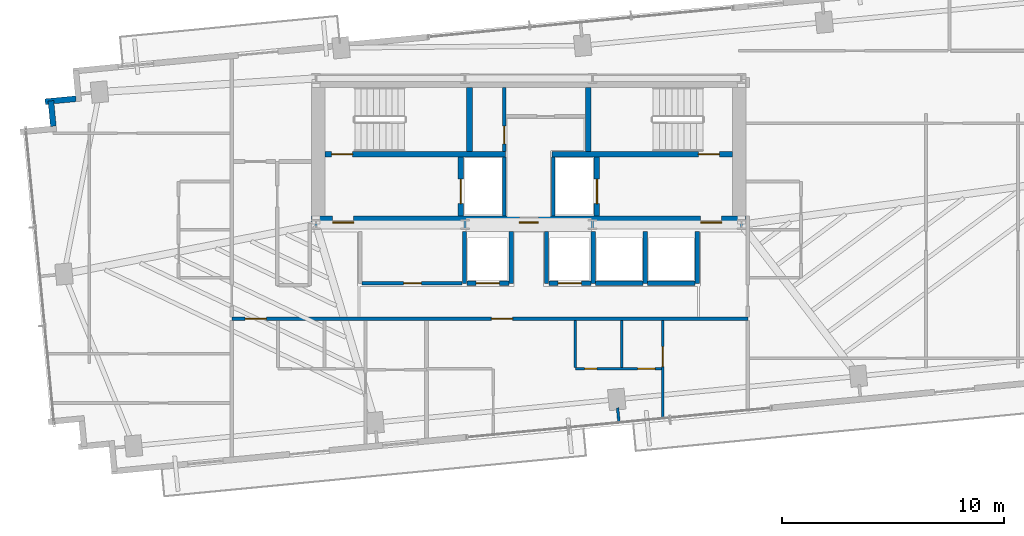
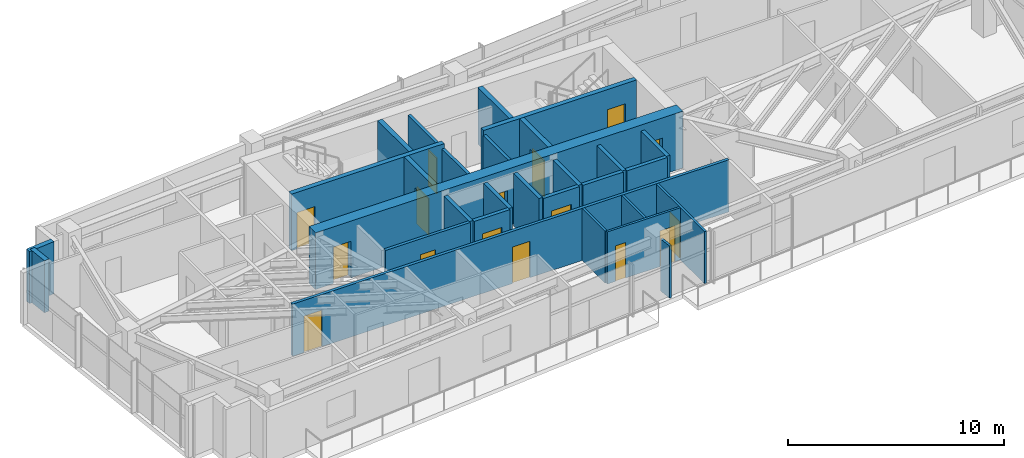
# One storey, part 14 of 18: 29 walls, 16 doors, 16 openings.
"""IFC4 building model written with IfcOpenShell, lengths in metres."""

from ifc_helpers import new_model, si_unit, direction, frame, frame_2d, origin, place, context, subcontext, project, spatial, rectangle, extrude, source, transform, mapped, material, layer, layer_set, type_object, type_shapes, element, fill, save


model = new_model("IFC4")

# Units and contexts
model_context = context("Model", 3, precision=1e-05, world=origin(), true_north=direction((0.0, 1.0)))
body_context = subcontext(model_context, "Body", "Model", "MODEL_VIEW")
ifc_project = project(units=[si_unit("LENGTHUNIT", "METRE"), si_unit("AREAUNIT", "SQUARE_METRE"), si_unit("VOLUMEUNIT", "CUBIC_METRE"), si_unit("PLANEANGLEUNIT", "RADIAN"), si_unit("MASSUNIT", "GRAM", prefix="KILO")], contexts=[model_context])

# Site, building, storey
site_placement = place(None, origin())
site = spatial("IfcSite", under=ifc_project, at=site_placement, CompositionType="ELEMENT")
building_placement = place(site_placement, origin())
building = spatial("IfcBuilding", under=site, at=building_placement, Name="Astriad Promenade Condominiums", CompositionType="ELEMENT")
storey_placement = place(building_placement, frame((0.0, 0.0, 173.0)))
storey = spatial("IfcBuildingStorey", under=building, at=storey_placement, Name="L49", CompositionType="ELEMENT", Elevation=173.0)

# Wall, openings, doors
ifc_material_1 = material(Name="Concrete C50/60", Category="concrete")
ifc_layer_1 = layer(ifc_material_1, 0.60009765625)
ifc_layer_set_1 = layer_set([ifc_layer_1], Name="Concrete C50/60")
wall_type_1 = type_object("IfcWallType", Name="CW-SHEAR-600", PredefinedType="SHEAR", material=ifc_layer_set_1)
wall_1_placement = place(storey_placement, frame((26.199951171875, 17.5, 0.0), z_axis=(0.0, 0.0, 1.0), x_axis=(1.0, 0.0, 0.0)))
wall_1 = element("IfcWall", 1, at=wall_1_placement, inside=storey, type_object=wall_type_1, Name="CW-CORE-S-L49", PredefinedType="SHEAR", context=body_context, shape_type="SweptSolid", body=[
    extrude(rectangle(XDim=19.60009765625, YDim=0.60009765625, at=frame_2d((9.800048828125, 0.0))), origin(), (0.0, 0.0, 1.0), 3.199951171875),
])
opening_1_placement = place(wall_1_placement, frame((0.949951171875, 0.0, 0.0)))
opening_1 = element("IfcOpeningElement", 2, at=opening_1_placement, cuts=wall_1, Name="Opening FD90-ST-095", PredefinedType="OPENING", context=body_context, shape_type="SweptSolid", body=[
    extrude(rectangle(XDim=0.949951171875, YDim=2.06005859375, at=frame_2d((0.47509765625, 1.030029296875))), frame((0.0, 0.31005859375, 0.0), z_axis=(0.0, -1.0, 0.0), x_axis=(1.0, 0.0, 0.0)), (0.0, 0.0, 1.0), 0.6201171875),
])
opening_2_placement = place(wall_1_placement, frame((9.3798828125, 0.0, 0.0)))
opening_2 = element("IfcOpeningElement", 3, at=opening_2_placement, cuts=wall_1, Name="Opening FD60-ULOW-085", PredefinedType="OPENING", context=body_context, shape_type="SweptSolid", body=[
    extrude(rectangle(XDim=0.85009765625, YDim=2.0, at=frame_2d((0.425048828125, 1.0))), frame((0.0, 0.31005859375, 0.0), z_axis=(0.0, -1.0, 0.0), x_axis=(1.0, 0.0, 0.0)), (0.0, 0.0, 1.0), 0.6201171875),
])
opening_3_placement = place(wall_1_placement, frame((17.550048828125, 0.0, 0.0)))
opening_3 = element("IfcOpeningElement", 4, at=opening_3_placement, cuts=wall_1, Name="Opening FD90-ST-095", PredefinedType="OPENING", context=body_context, shape_type="SweptSolid", body=[
    extrude(rectangle(XDim=0.949951171875, YDim=2.06005859375, at=frame_2d((0.47509765625, 1.030029296875))), frame((0.0, 0.31005859375, 0.0), z_axis=(0.0, -1.0, 0.0), x_axis=(1.0, 0.0, 0.0)), (0.0, 0.0, 1.0), 0.6201171875),
])
ifc_material_2 = material(Name="Fire-Rated Hollow Metal Stair Door")
door_type_1 = type_object("IfcDoorType", Name="FD90-ST-095", OperationType="NOTDEFINED", PredefinedType="DOOR", material=ifc_material_2)
shared_shape_1 = source(origin(), body_context, "Body", "SweptSolid", [
    extrude(rectangle(XDim=0.949951171875, YDim=2.06005859375, at=frame_2d((0.47509765625, 1.030029296875))), frame((0.0, 0.02490234375, 0.0), z_axis=(0.0, -1.0, 0.0), x_axis=(1.0, 0.0, 0.0)), (0.0, 0.0, 1.0), 0.050048828125),
])
type_shapes(door_type_1, [shared_shape_1])
door_1_placement = place(opening_1_placement, origin())
door_1 = element("IfcDoor", 5, at=door_1_placement, inside=storey, type_object=door_type_1, Name="D-FFW-L49", OperationType="SINGLE_SWING_LEFT", OverallHeight=2.06005859375, OverallWidth=0.949951171875, PredefinedType="DOOR", context=body_context, shape_type="MappedRepresentation", body=[
    mapped(shared_shape_1, transform((0.0, 0.0, 0.0), scale=1.0)),
])
fill(opening_1, door_1)
door_2_placement = place(opening_3_placement, origin())
door_2 = element("IfcDoor", 6, at=door_2_placement, inside=storey, type_object=door_type_1, Name="D-FFE-L49", OperationType="SINGLE_SWING_RIGHT", OverallHeight=2.06005859375, OverallWidth=0.949951171875, PredefinedType="DOOR", context=body_context, shape_type="MappedRepresentation", body=[
    mapped(shared_shape_1, transform((0.0, 0.0, 0.0), scale=1.0)),
])
fill(opening_3, door_2)
ifc_material_3 = material(Name="Solid-Core Low-Headroom Fire Door")
door_type_2 = type_object("IfcDoorType", Name="FD60-ULOW-085", OperationType="NOTDEFINED", PredefinedType="DOOR", material=ifc_material_3)
shared_shape_2 = source(origin(), body_context, "Body", "SweptSolid", [
    extrude(rectangle(XDim=0.85009765625, YDim=2.0, at=frame_2d((0.425048828125, 1.0))), frame((0.0, 0.02490234375, 0.0), z_axis=(0.0, -1.0, 0.0), x_axis=(1.0, 0.0, 0.0)), (0.0, 0.0, 1.0), 0.050048828125),
])
type_shapes(door_type_2, [shared_shape_2])
door_3_placement = place(opening_2_placement, origin())
door_3 = element("IfcDoor", 7, at=door_3_placement, inside=storey, type_object=door_type_2, Name="D-CSL-L49", OperationType="SINGLE_SWING_RIGHT", OverallHeight=2.0, OverallWidth=0.85009765625, PredefinedType="DOOR", context=body_context, shape_type="MappedRepresentation", body=[
    mapped(shared_shape_2, transform((0.0, 0.0, 0.0), scale=1.0)),
])
fill(opening_2, door_3)

# Wall, opening, door
ifc_layer_2 = layer(ifc_material_1, 0.25)
ifc_layer_set_2 = layer_set([ifc_layer_2], Name="Concrete C50/60")
wall_type_2 = type_object("IfcWallType", Name="WALL-CORE-INT-250", PredefinedType="SOLIDWALL", material=ifc_layer_set_2)
wall_2_placement = place(storey_placement, frame((26.802001953125, 20.574951171875, 0.0), z_axis=(0.0, 0.0, 1.0), x_axis=(1.0, 0.0, 0.0)))
wall_2 = element("IfcWall", 8, at=wall_2_placement, inside=storey, type_object=wall_type_2, Name="CW-INT-H1-L49", PredefinedType="SOLIDWALL", context=body_context, shape_type="SweptSolid", body=[
    extrude(rectangle(XDim=8.14794921875, YDim=0.25, at=frame_2d((4.073974609375, 0.0))), origin(), (0.0, 0.0, 1.0), 3.199951171875),
])
opening_4_placement = place(wall_2_placement, frame((0.298095703125, 0.0, 0.0)))
opening_4 = element("IfcOpeningElement", 9, at=opening_4_placement, cuts=wall_2, Name="Opening FD90-ST-095", PredefinedType="OPENING", context=body_context, shape_type="SweptSolid", body=[
    extrude(rectangle(XDim=0.949951171875, YDim=2.06005859375, at=frame_2d((0.47509765625, 1.030029296875))), frame((0.0, 0.135009765625, 0.0), z_axis=(0.0, -1.0, 0.0), x_axis=(1.0, 0.0, 0.0)), (0.0, 0.0, 1.0), 0.27001953125),
])
door_4_placement = place(opening_4_placement, origin())
door_4 = element("IfcDoor", 10, at=door_4_placement, inside=storey, type_object=door_type_1, Name="D-ST1-L49", OperationType="SINGLE_SWING_RIGHT", OverallHeight=2.06005859375, OverallWidth=0.949951171875, PredefinedType="DOOR", context=body_context, shape_type="MappedRepresentation", body=[
    mapped(shared_shape_1, transform((0.0, 0.0, 0.0), scale=1.0)),
])
fill(opening_4, door_4)

wall_3_placement = place(storey_placement, frame((37.050048828125, 20.574951171875, 0.0), z_axis=(0.0, 0.0, 1.0), x_axis=(1.0, 0.0, 0.0)))
wall_3 = element("IfcWall", 11, at=wall_3_placement, inside=storey, type_object=wall_type_2, Name="CW-INT-H2-L49", PredefinedType="SOLIDWALL", context=body_context, shape_type="SweptSolid", body=[
    extrude(rectangle(XDim=8.14794921875, YDim=0.25, at=frame_2d((4.073974609375, 0.0))), origin(), (0.0, 0.0, 1.0), 3.199951171875),
])
opening_5_placement = place(wall_3_placement, frame((6.60009765625, 0.0, 0.0)))
opening_5 = element("IfcOpeningElement", 12, at=opening_5_placement, cuts=wall_3, Name="Opening FD90-ST-095", PredefinedType="OPENING", context=body_context, shape_type="SweptSolid", body=[
    extrude(rectangle(XDim=0.949951171875, YDim=2.06005859375, at=frame_2d((0.47509765625, 1.030029296875))), frame((0.0, 0.135009765625, 0.0), z_axis=(0.0, -1.0, 0.0), x_axis=(1.0, 0.0, 0.0)), (0.0, 0.0, 1.0), 0.27001953125),
])
door_5_placement = place(opening_5_placement, origin())
door_5 = element("IfcDoor", 13, at=door_5_placement, inside=storey, type_object=door_type_1, Name="D-ST2-L49", OperationType="SINGLE_SWING_LEFT", OverallHeight=2.06005859375, OverallWidth=0.949951171875, PredefinedType="DOOR", context=body_context, shape_type="MappedRepresentation", body=[
    mapped(shared_shape_1, transform((0.0, 0.0, 0.0), scale=1.0)),
])
fill(opening_5, door_5)

# Walls
for number, where, z_axis, x_axis, name in (
    (14, (33.324951171875, 20.701904296875, 0.0), (0.0, 0.0, 1.0), (0.0, 1.0, 0.0), "CW-ST1-E-L49"),
    (15, (38.675048828125, 20.701904296875, 0.0), (0.0, 0.0, 1.0), (0.0, 1.0, 0.0), "CW-ST2-W-L49"),
):
    element("IfcWall", number, at=place(storey_placement, frame(where, z_axis=z_axis, x_axis=x_axis)), inside=storey, type_object=wall_type_2, Name=name, PredefinedType="SOLIDWALL", context=body_context, shape_type="SweptSolid", body=[
        extrude(rectangle(XDim=2.89599609375, YDim=0.25, at=frame_2d((1.447998046875, 0.0))), origin(), (0.0, 0.0, 1.0), 3.199951171875),
    ])

# Wall, opening, door
wall_4_placement = place(storey_placement, frame((32.925048828125, 17.802001953125, 0.0), z_axis=(0.0, 0.0, 1.0), x_axis=(0.0, 1.0, 0.0)))
wall_4 = element("IfcWall", 16, at=wall_4_placement, inside=storey, type_object=wall_type_2, Name="CW-FFL1-W-L49", PredefinedType="SOLIDWALL", context=body_context, shape_type="SweptSolid", body=[
    extrude(rectangle(XDim=2.64599609375, YDim=0.25, at=frame_2d((1.322998046875, 0.0))), origin(), (0.0, 0.0, 1.0), 3.199951171875),
])
opening_6_placement = place(wall_4_placement, frame((0.548095703125, 0.0, 0.0)))
opening_6 = element("IfcOpeningElement", 17, at=opening_6_placement, cuts=wall_4, Name="Opening LD-FFL-1122", PredefinedType="OPENING", context=body_context, shape_type="SweptSolid", body=[
    extrude(rectangle(XDim=1.10009765625, YDim=2.080078125, at=frame_2d((0.550048828125, 1.0400390625))), frame((0.0, 0.135009765625, 0.0), z_axis=(0.0, -1.0, 0.0), x_axis=(1.0, 0.0, 0.0)), (0.0, 0.0, 1.0), 0.27001953125),
])
ifc_material_4 = material(Name="Brushed Stainless Steel Fire Elevator Landing Door", Category="steel")
door_type_3 = type_object("IfcDoorType", Name="LD-FFL-1122", OperationType="NOTDEFINED", PredefinedType="DOOR", material=ifc_material_4)
shared_shape_3 = source(origin(), body_context, "Body", "SweptSolid", [
    extrude(rectangle(XDim=1.10009765625, YDim=2.080078125, at=frame_2d((0.550048828125, 1.0400390625))), frame((0.0, 0.02490234375, 0.0), z_axis=(0.0, -1.0, 0.0), x_axis=(1.0, 0.0, 0.0)), (0.0, 0.0, 1.0), 0.050048828125),
])
type_shapes(door_type_3, [shared_shape_3])
door_6_placement = place(opening_6_placement, origin())
door_6 = element("IfcDoor", 18, at=door_6_placement, inside=storey, type_object=door_type_3, Name="Elevator Landing Door FFL-1 (L49)", OperationType="SLIDING_TO_LEFT", OverallHeight=2.080078125, OverallWidth=1.10009765625, PredefinedType="DOOR", context=body_context, shape_type="MappedRepresentation", body=[
    mapped(shared_shape_3, transform((0.0, 0.0, 0.0), scale=1.0)),
])
fill(opening_6, door_6)

wall_5_placement = place(storey_placement, frame((39.074951171875, 17.802001953125, 0.0), z_axis=(0.0, 0.0, 1.0), x_axis=(0.0, 1.0, 0.0)))
wall_5 = element("IfcWall", 19, at=wall_5_placement, inside=storey, type_object=wall_type_2, Name="CW-FFL2-E-L49", PredefinedType="SOLIDWALL", context=body_context, shape_type="SweptSolid", body=[
    extrude(rectangle(XDim=2.64599609375, YDim=0.25, at=frame_2d((1.322998046875, 0.0))), origin(), (0.0, 0.0, 1.0), 3.199951171875),
])
opening_7_placement = place(wall_5_placement, frame((0.548095703125, 0.0, 0.0)))
opening_7 = element("IfcOpeningElement", 20, at=opening_7_placement, cuts=wall_5, Name="Opening LD-FFL-1122", PredefinedType="OPENING", context=body_context, shape_type="SweptSolid", body=[
    extrude(rectangle(XDim=1.10009765625, YDim=2.080078125, at=frame_2d((0.550048828125, 1.0400390625))), frame((0.0, 0.135009765625, 0.0), z_axis=(0.0, -1.0, 0.0), x_axis=(1.0, 0.0, 0.0)), (0.0, 0.0, 1.0), 0.27001953125),
])
door_7_placement = place(opening_7_placement, origin())
door_7 = element("IfcDoor", 21, at=door_7_placement, inside=storey, type_object=door_type_3, Name="Elevator Landing Door FFL-2 (L49)", OperationType="SLIDING_TO_RIGHT", OverallHeight=2.080078125, OverallWidth=1.10009765625, PredefinedType="DOOR", context=body_context, shape_type="MappedRepresentation", body=[
    mapped(shared_shape_3, transform((0.0, 0.0, 0.0), scale=1.0)),
])
fill(opening_7, door_7)

# Walls
ifc_material_5 = material(Name="Fire-Rated Gypsum Partition")
ifc_layer_3 = layer(ifc_material_5, 0.159912109375)
ifc_layer_set_3 = layer_set([ifc_layer_3], Name="Fire-Rated Gypsum Partition")
wall_type_3 = type_object("IfcWallType", Name="WALL-CORR-160", PredefinedType="PARTITIONING", material=ifc_layer_set_3)
for number, where, z_axis, x_axis, name in (
    (22, (34.89990234375, 17.802001953125, 0.0), (0.0, 0.0, 1.0), (0.0, 1.0, 0.0), "CW-FFL1-E-L49"),
    (23, (37.10009765625, 17.802001953125, 0.0), (0.0, 0.0, 1.0), (0.0, 1.0, 0.0), "CW-FFL2-W-L49"),
):
    element("IfcWall", number, at=place(storey_placement, frame(where, z_axis=z_axis, x_axis=x_axis)), inside=storey, type_object=wall_type_3, Name=name, PredefinedType="PARTITIONING", context=body_context, shape_type="SweptSolid", body=[
        extrude(rectangle(XDim=2.64599609375, YDim=0.159912109375, at=frame_2d((1.322998046875, 0.0))), origin(), (0.0, 0.0, 1.0), 2.93994140625),
    ])

# Wall, opening, door
wall_6_placement = place(storey_placement, frame((34.89990234375, 20.701904296875, 0.0), z_axis=(0.0, 0.0, 1.0), x_axis=(0.0, 1.0, 0.0)))
wall_6 = element("IfcWall", 24, at=wall_6_placement, inside=storey, type_object=wall_type_3, Name="CW-AUX-W-L49", PredefinedType="PARTITIONING", context=body_context, shape_type="SweptSolid", body=[
    extrude(rectangle(XDim=2.89599609375, YDim=0.159912109375, at=frame_2d((1.447998046875, 0.0))), origin(), (0.0, 0.0, 1.0), 2.93994140625),
])
opening_8_placement = place(wall_6_placement, frame((0.347900390625, 0.0, 0.0)))
opening_8 = element("IfcOpeningElement", 25, at=opening_8_placement, cuts=wall_6, Name="Opening FD60-SV-080", PredefinedType="OPENING", context=body_context, shape_type="SweptSolid", body=[
    extrude(rectangle(XDim=0.800048828125, YDim=2.050048828125, at=frame_2d((0.39990234375, 1.02490234375))), frame((0.0, 0.08984375, 0.0), z_axis=(0.0, -1.0, 0.0), x_axis=(1.0, 0.0, 0.0)), (0.0, 0.0, 1.0), 0.179931640625),
])
ifc_material_6 = material(Name="Fire-Rated Riser Closet Door")
door_type_4 = type_object("IfcDoorType", Name="FD60-SV-080", OperationType="NOTDEFINED", PredefinedType="DOOR", material=ifc_material_6)
shared_shape_4 = source(origin(), body_context, "Body", "SweptSolid", [
    extrude(rectangle(XDim=0.800048828125, YDim=2.050048828125, at=frame_2d((0.39990234375, 1.02490234375))), frame((0.0, 0.02490234375, 0.0), z_axis=(0.0, -1.0, 0.0), x_axis=(1.0, 0.0, 0.0)), (0.0, 0.0, 1.0), 0.050048828125),
])
type_shapes(door_type_4, [shared_shape_4])
door_8_placement = place(opening_8_placement, origin())
door_8 = element("IfcDoor", 26, at=door_8_placement, inside=storey, type_object=door_type_4, Name="D-AUX1-L49", OperationType="SINGLE_SWING_RIGHT", OverallHeight=2.050048828125, OverallWidth=0.800048828125, PredefinedType="DOOR", context=body_context, shape_type="MappedRepresentation", body=[
    mapped(shared_shape_4, transform((0.0, 0.0, 0.0), scale=1.0)),
])
fill(opening_8, door_8)

wall_7_placement = place(storey_placement, frame((28.48193359375, 14.75, 0.0), z_axis=(0.0, 0.0, 1.0), x_axis=(1.0, 0.0, 0.0)))
wall_7 = element("IfcWall", 27, at=wall_7_placement, inside=storey, type_object=wall_type_3, Name="REC-L-S-L49", PredefinedType="PARTITIONING", context=body_context, shape_type="SweptSolid", body=[
    extrude(rectangle(XDim=4.51611328125, YDim=0.159912109375, at=frame_2d((2.258056640625, 0.0))), origin(), (0.0, 0.0, 1.0), 2.93994140625),
])
opening_9_placement = place(wall_7_placement, frame((1.867919921875, 0.0, 0.0)))
opening_9 = element("IfcOpeningElement", 28, at=opening_9_placement, cuts=wall_7, Name="Opening FD60-SV-080", PredefinedType="OPENING", context=body_context, shape_type="SweptSolid", body=[
    extrude(rectangle(XDim=0.800048828125, YDim=2.050048828125, at=frame_2d((0.39990234375, 1.02490234375))), frame((0.0, 0.08984375, 0.0), z_axis=(0.0, -1.0, 0.0), x_axis=(1.0, 0.0, 0.0)), (0.0, 0.0, 1.0), 0.179931640625),
])
door_9_placement = place(opening_9_placement, origin())
door_9 = element("IfcDoor", 29, at=door_9_placement, inside=storey, type_object=door_type_4, Name="D-RECL-L49", OperationType="SINGLE_SWING_RIGHT", OverallHeight=2.050048828125, OverallWidth=0.800048828125, PredefinedType="DOOR", context=body_context, shape_type="MappedRepresentation", body=[
    mapped(shared_shape_4, transform((0.0, 0.0, 0.0), scale=1.0)),
])
fill(opening_9, door_9)

# Wall, openings, doors
wall_8_placement = place(storey_placement, frame((22.60009765625, 13.14990234375, 0.0), z_axis=(0.0, 0.0, 1.0), x_axis=(1.0, 0.0, 0.0)))
wall_8 = element("IfcWall", 30, at=wall_8_placement, inside=storey, type_object=wall_type_3, Name="PT-COR-S-L49", PredefinedType="PARTITIONING", context=body_context, shape_type="SweptSolid", body=[
    extrude(rectangle(XDim=23.27978515625, YDim=0.159912109375, at=frame_2d((11.639892578125, 0.0))), origin(), (0.0, 0.0, 1.0), 2.93994140625),
])
opening_10_placement = place(wall_8_placement, frame((0.60693359375, 0.0, 0.0)))
opening_10 = element("IfcOpeningElement", 31, at=opening_10_placement, cuts=wall_8, Name="Opening FD60-APT-095", PredefinedType="OPENING", context=body_context, shape_type="SweptSolid", body=[
    extrude(rectangle(XDim=0.949951171875, YDim=2.06005859375, at=frame_2d((0.47509765625, 1.030029296875))), frame((0.0, 0.08984375, 0.0), z_axis=(0.0, -1.0, 0.0), x_axis=(1.0, 0.0, 0.0)), (0.0, 0.0, 1.0), 0.179931640625),
])
opening_11_placement = place(wall_8_placement, frame((11.717041015625, 0.0, 0.0)))
opening_11 = element("IfcOpeningElement", 32, at=opening_11_placement, cuts=wall_8, Name="Opening FD60-APT-095", PredefinedType="OPENING", context=body_context, shape_type="SweptSolid", body=[
    extrude(rectangle(XDim=0.949951171875, YDim=2.06005859375, at=frame_2d((0.47509765625, 1.030029296875))), frame((0.0, 0.08984375, 0.0), z_axis=(0.0, -1.0, 0.0), x_axis=(1.0, 0.0, 0.0)), (0.0, 0.0, 1.0), 0.179931640625),
])
ifc_material_7 = material(Name="Solid-Core Acoustic Timber Residence Entry Door", Category="wood")
door_type_5 = type_object("IfcDoorType", Name="FD60-APT-095", OperationType="NOTDEFINED", PredefinedType="DOOR", material=ifc_material_7)
shared_shape_5 = source(origin(), body_context, "Body", "SweptSolid", [
    extrude(rectangle(XDim=0.949951171875, YDim=2.06005859375, at=frame_2d((0.47509765625, 1.030029296875))), frame((0.0, 0.02490234375, 0.0), z_axis=(0.0, -1.0, 0.0), x_axis=(1.0, 0.0, 0.0)), (0.0, 0.0, 1.0), 0.050048828125),
])
type_shapes(door_type_5, [shared_shape_5])
door_10_placement = place(opening_10_placement, origin())
door_10 = element("IfcDoor", 33, at=door_10_placement, inside=storey, type_object=door_type_5, Name="D-ENT-L49-S1", OperationType="SINGLE_SWING_RIGHT", OverallHeight=2.06005859375, OverallWidth=0.949951171875, PredefinedType="DOOR", context=body_context, shape_type="MappedRepresentation", body=[
    mapped(shared_shape_5, transform((0.0, 0.0, 0.0), scale=1.0)),
])
fill(opening_10, door_10)
door_11_placement = place(opening_11_placement, origin())
door_11 = element("IfcDoor", 34, at=door_11_placement, inside=storey, type_object=door_type_5, Name="D-ENT-L49-S2", OperationType="SINGLE_SWING_LEFT", OverallHeight=2.06005859375, OverallWidth=0.949951171875, PredefinedType="DOOR", context=body_context, shape_type="MappedRepresentation", body=[
    mapped(shared_shape_5, transform((0.0, 0.0, 0.0), scale=1.0)),
])
fill(opening_11, door_11)

# Walls
ifc_material_8 = material(Name="Precast concrete C50/60", Category="concrete")
ifc_layer_4 = layer(ifc_material_8, 0.260009765625)
ifc_layer_set_4 = layer_set([ifc_layer_4], Name="Precast concrete C50/60")
wall_type_4 = type_object("IfcWallType", Name="WALL-EXT-TWR-260", PredefinedType="STANDARD", material=ifc_layer_set_4)
wall_9_placement = place(storey_placement, frame((14.55029296875, 21.842529296875, 0.0), z_axis=(0.0, 0.0, 1.0), x_axis=(-0.09576095695, 0.995404359607, 0.0)))
element("IfcWall", 35, at=wall_9_placement, inside=storey, type_object=wall_type_4, Name="W-SER-L49-05", PredefinedType="STANDARD", context=body_context, shape_type="SweptSolid", body=[
    extrude(rectangle(XDim=1.14990234375, YDim=0.260009765625, at=frame_2d((0.574951171875, 0.0))), origin(), (0.0, 0.0, 1.0), 2.93994140625),
])
wall_10_placement = place(storey_placement, frame((14.182861328125, 22.947265625, 0.0), z_axis=(0.0, 0.0, 1.0), x_axis=(0.99540614245, 0.095742423056, 0.0)))
element("IfcWall", 36, at=wall_10_placement, inside=storey, type_object=wall_type_4, Name="W-SER-L49-06", PredefinedType="STANDARD", context=body_context, shape_type="SweptSolid", body=[
    extrude(rectangle(XDim=1.394775390625, YDim=0.260009765625, at=frame_2d((0.697265625, 0.0))), origin(), (0.0, 0.0, 1.0), 2.93994140625),
])

# Wall, opening, door
ifc_material_9 = material(Name="Acoustic Metal-Stud Gypsum Partition")
ifc_layer_5 = layer(ifc_material_9, 0.1201171875)
ifc_layer_set_5 = layer_set([ifc_layer_5], Name="Acoustic Metal-Stud Gypsum Partition")
wall_type_5 = type_object("IfcWallType", Name="WALL-PART-120", PredefinedType="PARTITIONING", material=ifc_layer_set_5)
wall_11_placement = place(storey_placement, frame((42.050048828125, 8.6123046875, 0.0), z_axis=(0.0, 0.0, 1.0), x_axis=(0.0, 1.0, 0.0)))
wall_11 = element("IfcWall", 37, at=wall_11_placement, inside=storey, type_object=wall_type_5, Name="PT-L49-S2-BD1", PredefinedType="PARTITIONING", context=body_context, shape_type="SweptSolid", body=[
    extrude(rectangle(XDim=4.455810546875, YDim=0.1201171875, at=frame_2d((2.22802734375, 0.0))), origin(), (0.0, 0.0, 1.0), 2.93994140625),
])
opening_12_placement = place(wall_11_placement, frame((2.3857421875, 0.0, 0.0)))
opening_12 = element("IfcOpeningElement", 38, at=opening_12_placement, cuts=wall_11, Name="Opening D-INT-090", PredefinedType="OPENING", context=body_context, shape_type="SweptSolid", body=[
    extrude(rectangle(XDim=0.89990234375, YDim=2.050048828125, at=frame_2d((0.449951171875, 1.02490234375))), frame((0.0, 0.070068359375, 0.0), z_axis=(0.0, -1.0, 0.0), x_axis=(1.0, 0.0, 0.0)), (0.0, 0.0, 1.0), 0.14013671875),
])
ifc_material_10 = material(Name="Painted Solid-Core Timber Bedroom Door", Category="wood")
door_type_6 = type_object("IfcDoorType", Name="D-INT-090", OperationType="NOTDEFINED", PredefinedType="DOOR", material=ifc_material_10)
shared_shape_6 = source(origin(), body_context, "Body", "SweptSolid", [
    extrude(rectangle(XDim=0.89990234375, YDim=2.050048828125, at=frame_2d((0.449951171875, 1.02490234375))), frame((0.0, 0.02490234375, 0.0), z_axis=(0.0, -1.0, 0.0), x_axis=(1.0, 0.0, 0.0)), (0.0, 0.0, 1.0), 0.050048828125),
])
type_shapes(door_type_6, [shared_shape_6])
door_12_placement = place(opening_12_placement, origin())
door_12 = element("IfcDoor", 39, at=door_12_placement, inside=storey, type_object=door_type_6, Name="D-BD1-L49-S2", OperationType="SINGLE_SWING_RIGHT", OverallHeight=2.050048828125, OverallWidth=0.89990234375, PredefinedType="DOOR", context=body_context, shape_type="MappedRepresentation", body=[
    mapped(shared_shape_6, transform((0.0, 0.0, 0.0), scale=1.0)),
])
fill(opening_12, door_12)

# Wall, openings, doors
wall_12_placement = place(storey_placement, frame((38.10009765625, 10.89990234375, 0.0), z_axis=(0.0, 0.0, 1.0), x_axis=(1.0, 0.0, 0.0)))
wall_12 = element("IfcWall", 40, at=wall_12_placement, inside=storey, type_object=wall_type_5, Name="PT-L49-S2-PS", PredefinedType="PARTITIONING", context=body_context, shape_type="SweptSolid", body=[
    extrude(rectangle(XDim=3.887939453125, YDim=0.1201171875, at=frame_2d((1.94384765625, 0.0))), origin(), (0.0, 0.0, 1.0), 2.93994140625),
])
opening_13_placement = place(wall_12_placement, frame((0.419921875, 0.0, 0.0)))
opening_13 = element("IfcOpeningElement", 41, at=opening_13_placement, cuts=wall_12, Name="Opening D-AC-055", PredefinedType="OPENING", context=body_context, shape_type="SweptSolid", body=[
    extrude(rectangle(XDim=0.550048828125, YDim=2.0, at=frame_2d((0.27490234375, 1.0))), frame((0.0, 0.070068359375, 0.0), z_axis=(0.0, -1.0, 0.0), x_axis=(1.0, 0.0, 0.0)), (0.0, 0.0, 1.0), 0.14013671875),
])
opening_14_placement = place(wall_12_placement, frame((2.804931640625, 0.0, 0.0)))
opening_14 = element("IfcOpeningElement", 42, at=opening_14_placement, cuts=wall_12, Name="Opening D-WET-080", PredefinedType="OPENING", context=body_context, shape_type="SweptSolid", body=[
    extrude(rectangle(XDim=0.800048828125, YDim=2.02001953125, at=frame_2d((0.39990234375, 1.010009765625))), frame((0.0, 0.070068359375, 0.0), z_axis=(0.0, -1.0, 0.0), x_axis=(1.0, 0.0, 0.0)), (0.0, 0.0, 1.0), 0.14013671875),
])
ifc_material_11 = material(Name="Moisture-Resistant Timber Bathroom Door", Category="wood")
door_type_7 = type_object("IfcDoorType", Name="D-WET-080", OperationType="NOTDEFINED", PredefinedType="DOOR", material=ifc_material_11)
shared_shape_7 = source(origin(), body_context, "Body", "SweptSolid", [
    extrude(rectangle(XDim=0.800048828125, YDim=2.02001953125, at=frame_2d((0.39990234375, 1.010009765625))), frame((0.0, 0.02490234375, 0.0), z_axis=(0.0, -1.0, 0.0), x_axis=(1.0, 0.0, 0.0)), (0.0, 0.0, 1.0), 0.050048828125),
])
type_shapes(door_type_7, [shared_shape_7])
door_13_placement = place(opening_14_placement, origin())
door_13 = element("IfcDoor", 43, at=door_13_placement, inside=storey, type_object=door_type_7, Name="D-BTH-L49-S2", OperationType="SINGLE_SWING_RIGHT", OverallHeight=2.02001953125, OverallWidth=0.800048828125, PredefinedType="DOOR", context=body_context, shape_type="MappedRepresentation", body=[
    mapped(shared_shape_7, transform((0.0, 0.0, 0.0), scale=1.0)),
])
fill(opening_14, door_13)
ifc_material_12 = material(Name="Painted Timber Access Door", Category="wood")
door_type_8 = type_object("IfcDoorType", Name="D-AC-055", OperationType="NOTDEFINED", PredefinedType="DOOR", material=ifc_material_12)
shared_shape_8 = source(origin(), body_context, "Body", "SweptSolid", [
    extrude(rectangle(XDim=0.550048828125, YDim=2.0, at=frame_2d((0.27490234375, 1.0))), frame((0.0, 0.02490234375, 0.0), z_axis=(0.0, -1.0, 0.0), x_axis=(1.0, 0.0, 0.0)), (0.0, 0.0, 1.0), 0.050048828125),
])
type_shapes(door_type_8, [shared_shape_8])
door_14_placement = place(opening_13_placement, origin())
door_14 = element("IfcDoor", 44, at=door_14_placement, inside=storey, type_object=door_type_8, Name="D-KIT-L49-S2", OperationType="SINGLE_SWING_LEFT", OverallHeight=2.0, OverallWidth=0.550048828125, PredefinedType="DOOR", context=body_context, shape_type="MappedRepresentation", body=[
    mapped(shared_shape_8, transform((0.0, 0.0, 0.0), scale=1.0)),
])
fill(opening_13, door_14)

# Walls
for number, where, z_axis, x_axis, name in (
    (45, (40.199951171875, 10.9619140625, 0.0), (0.0, 0.0, 1.0), (0.0, 1.0, 0.0), "PT-L49-S2-PBK"),
    (46, (38.10009765625, 10.9619140625, 0.0), (0.0, 0.0, 1.0), (0.0, 1.0, 0.0), "PT-L49-S2-PKW"),
):
    element("IfcWall", number, at=place(storey_placement, frame(where, z_axis=z_axis, x_axis=x_axis)), inside=storey, type_object=wall_type_5, Name=name, PredefinedType="PARTITIONING", context=body_context, shape_type="SweptSolid", body=[
        extrude(rectangle(XDim=2.106201171875, YDim=0.1201171875, at=frame_2d((1.05322265625, 0.0))), origin(), (0.0, 0.0, 1.0), 2.93994140625),
    ])
wall_13_placement = place(storey_placement, frame((40.005126953125, 9.138671875, 0.0), z_axis=(0.0, 0.0, 1.0), x_axis=(0.095977354523, -0.995383517755, 0.0)))
element("IfcWall", 47, at=wall_13_placement, inside=storey, type_object=wall_type_5, Name="PT-PIL-L49-PC03-10", PredefinedType="PARTITIONING", context=body_context, shape_type="SweptSolid", body=[
    extrude(rectangle(XDim=0.719970703125, YDim=0.1201171875, at=frame_2d((0.35986328125, 0.0))), origin(), (0.0, 0.0, 1.0), 2.93994140625),
])
ifc_material_13 = material(Name="Gypsum Shaftliner Assembly")
ifc_layer_6 = layer(ifc_material_13, 0.199951171875)
ifc_layer_set_6 = layer_set([ifc_layer_6], Name="Gypsum Shaftliner Assembly")
wall_type_6 = type_object("IfcWallType", Name="WALL-SHAFT-200", PredefinedType="PARTITIONING", material=ifc_layer_set_6)
for number, where, z_axis, x_axis, name in (
    (48, (33.10009765625, 14.75, 0.0), (0.0, 0.0, 1.0), (0.0, 1.0, 0.0), "REC-L-E-L49"),
    (49, (35.199951171875, 14.75, 0.0), (0.0, 0.0, 1.0), (0.0, 1.0, 0.0), "PL-M1-E-L49"),
):
    element("IfcWall", number, at=place(storey_placement, frame(where, z_axis=z_axis, x_axis=x_axis)), inside=storey, type_object=wall_type_6, Name=name, PredefinedType="PARTITIONING", context=body_context, shape_type="SweptSolid", body=[
        extrude(rectangle(XDim=2.35009765625, YDim=0.199951171875, at=frame_2d((1.175048828125, 0.0))), origin(), (0.0, 0.0, 1.0), 2.93994140625),
    ])

# Wall, opening, door
wall_14_placement = place(storey_placement, frame((33.201904296875, 14.75, 0.0), z_axis=(0.0, 0.0, 1.0), x_axis=(1.0, 0.0, 0.0)))
wall_14 = element("IfcWall", 50, at=wall_14_placement, inside=storey, type_object=wall_type_6, Name="PL-M1-F-L49", PredefinedType="PARTITIONING", context=body_context, shape_type="SweptSolid", body=[
    extrude(rectangle(XDim=1.89599609375, YDim=0.199951171875, at=frame_2d((0.947998046875, 0.0))), origin(), (0.0, 0.0, 1.0), 2.93994140625),
])
opening_15_placement = place(wall_14_placement, frame((0.423095703125, 0.0, 0.0)))
opening_15 = element("IfcOpeningElement", 51, at=opening_15_placement, cuts=wall_14, Name="Opening LD-PL-10522", PredefinedType="OPENING", context=body_context, shape_type="SweptSolid", body=[
    extrude(rectangle(XDim=1.050048828125, YDim=2.080078125, at=frame_2d((0.52490234375, 1.0400390625))), frame((0.0, 0.10986328125, 0.0), z_axis=(0.0, -1.0, 0.0), x_axis=(1.0, 0.0, 0.0)), (0.0, 0.0, 1.0), 0.219970703125),
])
ifc_material_14 = material(Name="Brushed Bronze Passenger Elevator Landing Door")
door_type_9 = type_object("IfcDoorType", Name="LD-PL-10522", OperationType="NOTDEFINED", PredefinedType="DOOR", material=ifc_material_14)
shared_shape_9 = source(origin(), body_context, "Body", "SweptSolid", [
    extrude(rectangle(XDim=1.050048828125, YDim=2.080078125, at=frame_2d((0.52490234375, 1.0400390625))), frame((0.0, 0.02490234375, 0.0), z_axis=(0.0, -1.0, 0.0), x_axis=(1.0, 0.0, 0.0)), (0.0, 0.0, 1.0), 0.050048828125),
])
type_shapes(door_type_9, [shared_shape_9])
door_15_placement = place(opening_15_placement, origin())
door_15 = element("IfcDoor", 52, at=door_15_placement, inside=storey, type_object=door_type_9, Name="Elevator Landing Door PL-M1 (L49)", OperationType="SLIDING_TO_LEFT", OverallHeight=2.080078125, OverallWidth=1.050048828125, PredefinedType="DOOR", context=body_context, shape_type="MappedRepresentation", body=[
    mapped(shared_shape_9, transform((0.0, 0.0, 0.0), scale=1.0)),
])
fill(opening_15, door_15)

# Walls
for number, where, z_axis, x_axis, name in (
    (53, (36.800048828125, 14.75, 0.0), (0.0, 0.0, 1.0), (0.0, 1.0, 0.0), "PL-M2-W-L49"),
    (54, (38.89990234375, 14.75, 0.0), (0.0, 0.0, 1.0), (0.0, 1.0, 0.0), "PL-MH-DIV-L49"),
):
    element("IfcWall", number, at=place(storey_placement, frame(where, z_axis=z_axis, x_axis=x_axis)), inside=storey, type_object=wall_type_6, Name=name, PredefinedType="PARTITIONING", context=body_context, shape_type="SweptSolid", body=[
        extrude(rectangle(XDim=2.35009765625, YDim=0.199951171875, at=frame_2d((1.175048828125, 0.0))), origin(), (0.0, 0.0, 1.0), 2.93994140625),
    ])

# Wall, opening, door
wall_15_placement = place(storey_placement, frame((36.902099609375, 14.75, 0.0), z_axis=(0.0, 0.0, 1.0), x_axis=(1.0, 0.0, 0.0)))
wall_15 = element("IfcWall", 55, at=wall_15_placement, inside=storey, type_object=wall_type_6, Name="PL-M2-F-L49", PredefinedType="PARTITIONING", context=body_context, shape_type="SweptSolid", body=[
    extrude(rectangle(XDim=1.89599609375, YDim=0.199951171875, at=frame_2d((0.947998046875, 0.0))), origin(), (0.0, 0.0, 1.0), 2.93994140625),
])
opening_16_placement = place(wall_15_placement, frame((0.423095703125, 0.0, 0.0)))
opening_16 = element("IfcOpeningElement", 56, at=opening_16_placement, cuts=wall_15, Name="Opening LD-PL-10522", PredefinedType="OPENING", context=body_context, shape_type="SweptSolid", body=[
    extrude(rectangle(XDim=1.050048828125, YDim=2.080078125, at=frame_2d((0.52490234375, 1.0400390625))), frame((0.0, 0.10986328125, 0.0), z_axis=(0.0, -1.0, 0.0), x_axis=(1.0, 0.0, 0.0)), (0.0, 0.0, 1.0), 0.219970703125),
])
door_16_placement = place(opening_16_placement, origin())
door_16 = element("IfcDoor", 57, at=door_16_placement, inside=storey, type_object=door_type_9, Name="Elevator Landing Door PL-M2 (L49)", OperationType="SLIDING_TO_RIGHT", OverallHeight=2.080078125, OverallWidth=1.050048828125, PredefinedType="DOOR", context=body_context, shape_type="MappedRepresentation", body=[
    mapped(shared_shape_9, transform((0.0, 0.0, 0.0), scale=1.0)),
])
fill(opening_16, door_16)

# Walls
for number, where, z_axis, x_axis, name in (
    (58, (41.25, 14.75, 0.0), (0.0, 0.0, 1.0), (0.0, 1.0, 0.0), "PL-H-DIV-L49"),
    (59, (43.60009765625, 14.75, 0.0), (0.0, 0.0, 1.0), (0.0, 1.0, 0.0), "PL-E-OUT-L49"),
):
    element("IfcWall", number, at=place(storey_placement, frame(where, z_axis=z_axis, x_axis=x_axis)), inside=storey, type_object=wall_type_6, Name=name, PredefinedType="PARTITIONING", context=body_context, shape_type="SweptSolid", body=[
        extrude(rectangle(XDim=2.35009765625, YDim=0.199951171875, at=frame_2d((1.175048828125, 0.0))), origin(), (0.0, 0.0, 1.0), 2.93994140625),
    ])
for number, where, z_axis, x_axis, name in (
    (60, (39.001953125, 14.75, 0.0), (0.0, 0.0, 1.0), (1.0, 0.0, 0.0), "PL-H-FRT-L49"),
    (61, (41.35205078125, 14.75, 0.0), (0.0, 0.0, 1.0), (1.0, 0.0, 0.0), "PL-H-FRT-L49-S2"),
):
    element("IfcWall", number, at=place(storey_placement, frame(where, z_axis=z_axis, x_axis=x_axis)), inside=storey, type_object=wall_type_6, Name=name, PredefinedType="PARTITIONING", context=body_context, shape_type="SweptSolid", body=[
        extrude(rectangle(XDim=2.14599609375, YDim=0.199951171875, at=frame_2d((1.072998046875, 0.0))), origin(), (0.0, 0.0, 1.0), 2.93994140625),
    ])

save(model, "model.ifc")
